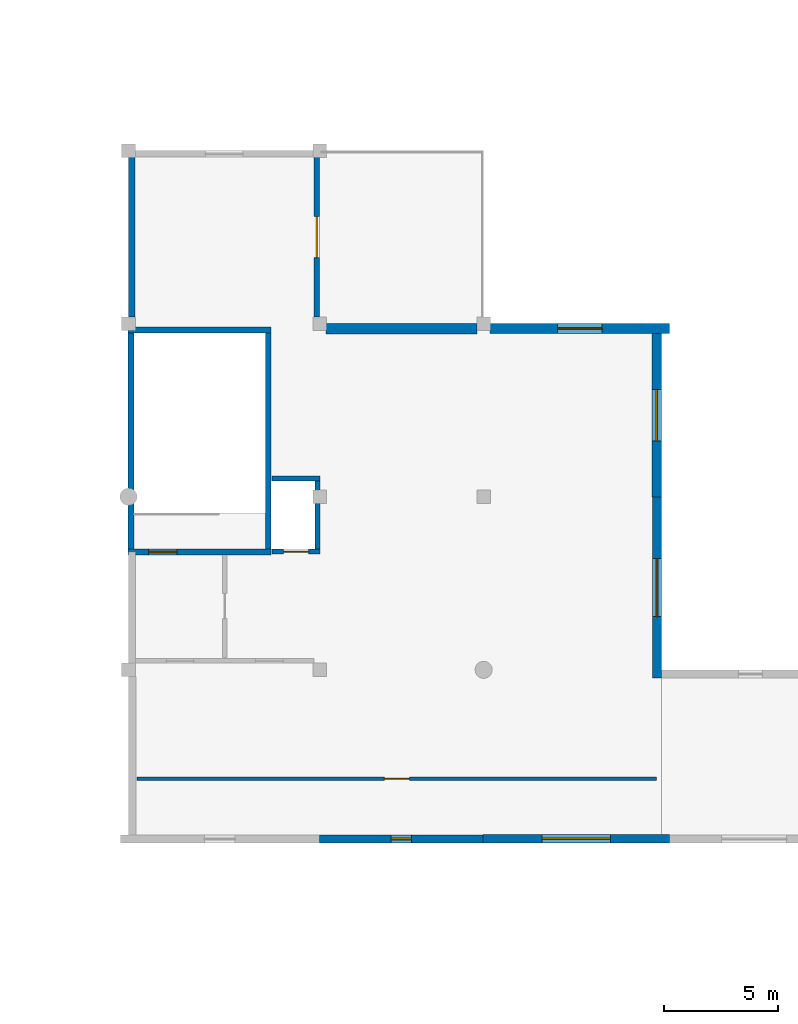
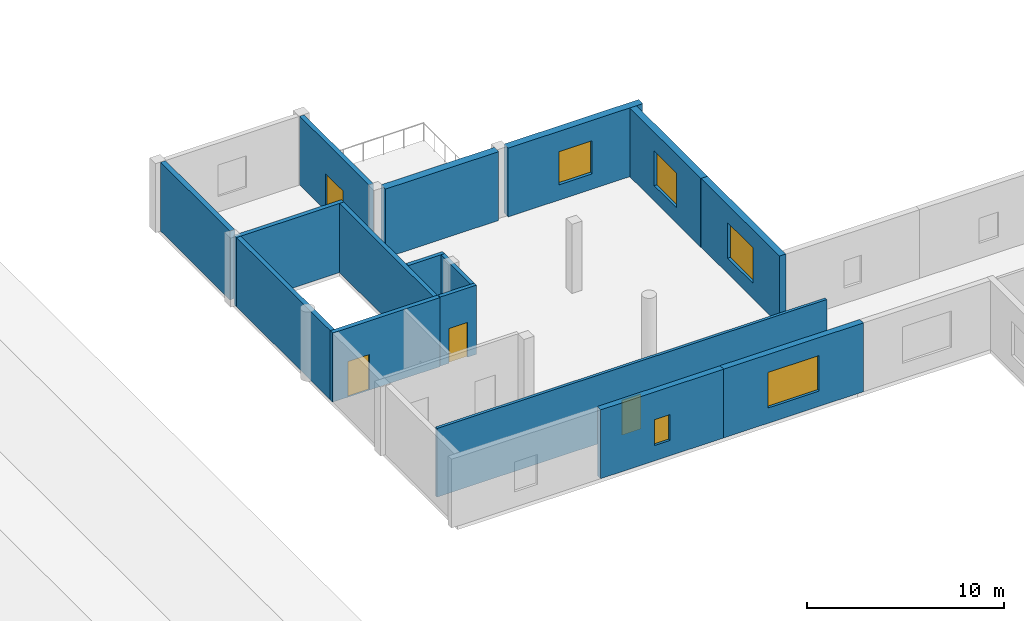
# One storey, part 21 of 28: 16 walls, 5 windows, 4 doors, 9 openings.
"""IFC4 building model written with IfcOpenShell, lengths in metres."""

from ifc_helpers import new_model, si_unit, direction, frame, frame_2d, origin, place, context, subcontext, project, spatial, rectangle, extrude, material, layer, layer_set, type_object, element, fill, save


model = new_model("IFC4")

# Units and contexts
model_context = context("Model", 3, precision=1e-05, world=origin(), true_north=direction((0.0, 1.0)))
body_context = subcontext(model_context, "Body", "Model", "MODEL_VIEW")
ifc_project = project(units=[si_unit("LENGTHUNIT", "METRE"), si_unit("AREAUNIT", "SQUARE_METRE"), si_unit("VOLUMEUNIT", "CUBIC_METRE"), si_unit("PLANEANGLEUNIT", "RADIAN"), si_unit("MASSUNIT", "GRAM", prefix="KILO")], contexts=[model_context])

# Site, building, storey
site_placement = place(None, origin())
site = spatial("IfcSite", under=ifc_project, at=site_placement, CompositionType="ELEMENT")
building_placement = place(site_placement, origin())
building = spatial("IfcBuilding", under=site, at=building_placement, Name="Xicomal Pleat Aquarium", CompositionType="ELEMENT")
storey_placement = place(building_placement, frame((0.0, 0.0, 15.300048828125)))
storey = spatial("IfcBuildingStorey", under=building, at=storey_placement, Name="L04", CompositionType="ELEMENT", Elevation=15.300048828125)

# Wall, opening, door
ifc_material_1 = material(Name="Concrete C40/50", Category="concrete")
ifc_layer_1 = layer(ifc_material_1, 0.219970703125)
ifc_layer_set_1 = layer_set([ifc_layer_1], Name="Concrete C40/50")
wall_type_1 = type_object("IfcWallType", Name="WAL-COR-220", PredefinedType="SHEAR", material=ifc_layer_set_1)
wall_1_placement = place(storey_placement, frame((108.89990234375, 50.7900390625, 0.0), z_axis=(0.0, 0.0, 1.0), x_axis=(1.0, 0.0, 0.0)))
wall_1 = element("IfcWall", 1, at=wall_1_placement, inside=storey, type_object=wall_type_1, Name="L04 LF-07 lift shaft wall CW-L04-C7-LS", PredefinedType="SHEAR", context=body_context, shape_type="SweptSolid", body=[
    extrude(rectangle(XDim=2.1201171875, YDim=0.219970703125, at=frame_2d((1.06005859375, 0.0))), origin(), (0.0, 0.0, 1.0), 4.280029296875),
])
opening_1_placement = place(wall_1_placement, frame((0.510009765625, 0.0, 0.0)))
opening_1 = element("IfcOpeningElement", 2, at=opening_1_placement, cuts=wall_1, Name="Opening LD-07-L04", PredefinedType="OPENING", context=body_context, shape_type="SweptSolid", body=[
    extrude(rectangle(XDim=1.10009765625, YDim=2.14990234375, at=frame_2d((0.550048828125, 1.074951171875))), frame((0.0, 0.119873046875, 0.0), z_axis=(0.0, -1.0, 0.0), x_axis=(1.0, 0.0, 0.0)), (0.0, 0.0, 1.0), 0.239990234375),
])
ifc_material_2 = material(Name="Brushed stainless steel 304", Category="steel")
door_type_1 = type_object("IfcDoorType", Name="DOR-LD-1100x2150", OperationType="DOUBLE_DOOR_SLIDING", PredefinedType="DOOR", material=ifc_material_2)
door_1_placement = place(opening_1_placement, origin())
door_1 = element("IfcDoor", 3, at=door_1_placement, inside=storey, type_object=door_type_1, Name="L04 LF-07 sliding lift landing door", OperationType="DOUBLE_DOOR_SLIDING", OverallHeight=2.14990234375, OverallWidth=1.10009765625, PredefinedType="DOOR", context=body_context, shape_type="SweptSolid", body=[
    extrude(rectangle(XDim=1.10009765625, YDim=2.14990234375, at=frame_2d((0.550048828125, 1.074951171875))), frame((0.0, 0.02490234375, 0.0), z_axis=(0.0, -1.0, 0.0), x_axis=(1.0, 0.0, 0.0)), (0.0, 0.0, 1.0), 0.050048828125),
])
fill(opening_1, door_1)

# Walls
wall_2_placement = place(storey_placement, frame((108.89990234375, 54.010009765625, 0.0), z_axis=(0.0, 0.0, 1.0), x_axis=(1.0, 0.0, 0.0)))
element("IfcWall", 4, at=wall_2_placement, inside=storey, type_object=wall_type_1, Name="L04 LF-07 lift shaft wall CW-L04-C7-LN", PredefinedType="SHEAR", context=body_context, shape_type="SweptSolid", body=[
    extrude(rectangle(XDim=2.1201171875, YDim=0.219970703125, at=frame_2d((1.06005859375, 0.0))), origin(), (0.0, 0.0, 1.0), 4.280029296875),
])
wall_3_placement = place(storey_placement, frame((110.909912109375, 50.89990234375, 0.0), z_axis=(0.0, 0.0, 1.0), x_axis=(0.0, 1.0, 0.0)))
element("IfcWall", 5, at=wall_3_placement, inside=storey, type_object=wall_type_1, Name="L04 LF-07 lift shaft wall CW-L04-C7-LE", PredefinedType="SHEAR", context=body_context, shape_type="SweptSolid", body=[
    extrude(rectangle(XDim=3.0, YDim=0.219970703125, at=frame_2d((1.5, 0.0))), origin(), (0.0, 0.0, 1.0), 4.280029296875),
])

# Wall, opening, door
ifc_material_3 = material(Name="Concrete C40/50", Category="concrete")
ifc_layer_2 = layer(ifc_material_3, 0.25)
ifc_layer_set_2 = layer_set([ifc_layer_2], Name="Concrete C40/50")
wall_type_2 = type_object("IfcWallType", Name="WAL-COR-250", PredefinedType="SHEAR", material=ifc_layer_set_2)
wall_4_placement = place(storey_placement, frame((102.590087890625, 50.77490234375, 0.0), z_axis=(0.0, 0.0, 1.0), x_axis=(1.0, 0.0, 0.0)))
wall_4 = element("IfcWall", 6, at=wall_4_placement, inside=storey, type_object=wall_type_2, Name="L04 CORE-7 stair shear wall CW-L04-C7-SS", PredefinedType="SHEAR", context=body_context, shape_type="SweptSolid", body=[
    extrude(rectangle(XDim=6.280029296875, YDim=0.25, at=frame_2d((3.14013671875, 0.0))), origin(), (0.0, 0.0, 1.0), 4.280029296875),
])
opening_2_placement = place(wall_4_placement, frame((0.89990234375, 0.0, 0.0)))
opening_2 = element("IfcOpeningElement", 7, at=opening_2_placement, cuts=wall_4, Name="Opening SD-07-L04", PredefinedType="OPENING", context=body_context, shape_type="SweptSolid", body=[
    extrude(rectangle(XDim=1.25, YDim=2.199951171875, at=frame_2d((0.625, 1.10009765625))), frame((0.0, 0.135009765625, 0.0), z_axis=(0.0, -1.0, 0.0), x_axis=(1.0, 0.0, 0.0)), (0.0, 0.0, 1.0), 0.27001953125),
])
ifc_material_4 = material(Name="Powder-coated steel fire door", Category="steel")
door_type_2 = type_object("IfcDoorType", Name="DOR-ST-1250x2200", OperationType="NOTDEFINED", PredefinedType="DOOR", material=ifc_material_4)
door_2_placement = place(opening_2_placement, origin())
door_2 = element("IfcDoor", 8, at=door_2_placement, inside=storey, type_object=door_type_2, Name="L04 ST-07 protected stair door", OperationType="SINGLE_SWING_LEFT", OverallHeight=2.199951171875, OverallWidth=1.25, PredefinedType="DOOR", context=body_context, shape_type="SweptSolid", body=[
    extrude(rectangle(XDim=1.25, YDim=2.199951171875, at=frame_2d((0.625, 1.10009765625))), frame((0.0, 0.02490234375, 0.0), z_axis=(0.0, -1.0, 0.0), x_axis=(1.0, 0.0, 0.0)), (0.0, 0.0, 1.0), 0.050048828125),
])
fill(opening_2, door_2)

# Walls
wall_5_placement = place(storey_placement, frame((102.590087890625, 60.52490234375, 0.0), z_axis=(0.0, 0.0, 1.0), x_axis=(1.0, 0.0, 0.0)))
element("IfcWall", 9, at=wall_5_placement, inside=storey, type_object=wall_type_2, Name="L04 CORE-7 stair shear wall CW-L04-C7-SN", PredefinedType="SHEAR", context=body_context, shape_type="SweptSolid", body=[
    extrude(rectangle(XDim=6.280029296875, YDim=0.25, at=frame_2d((3.14013671875, 0.0))), origin(), (0.0, 0.0, 1.0), 4.280029296875),
])
for number, where, z_axis, x_axis, name in (
    (10, (102.715087890625, 50.89990234375, 0.0), (0.0, 0.0, 1.0), (0.0, 1.0, 0.0), "L04 CORE-7 stair shear wall CW-L04-C7-SW"),
    (11, (108.7451171875, 50.89990234375, 0.0), (0.0, 0.0, 1.0), (0.0, 1.0, 0.0), "L04 CORE-7 stair shear wall CW-L04-C7-SE"),
):
    element("IfcWall", number, at=place(storey_placement, frame(where, z_axis=z_axis, x_axis=x_axis)), inside=storey, type_object=wall_type_2, Name=name, PredefinedType="SHEAR", context=body_context, shape_type="SweptSolid", body=[
        extrude(rectangle(XDim=9.5, YDim=0.25, at=frame_2d((4.75, 0.0))), origin(), (0.0, 0.0, 1.0), 4.280029296875),
    ])

# Wall, opening, window
ifc_material_5 = material(Name="Volcanic basalt recinto masonry and concrete C40/50", Category="masonry")
ifc_layer_3 = layer(ifc_material_5, 0.35009765625)
ifc_layer_set_3 = layer_set([ifc_layer_3], Name="Volcanic basalt recinto masonry and concrete C40/50")
wall_type_3 = type_object("IfcWallType", Name="WAL-EXT-BAS-350", PredefinedType="SOLIDWALL", material=ifc_layer_set_3)
wall_6_placement = place(storey_placement, frame((118.179931640625, 38.175048828125, 0.0), z_axis=(0.0, 0.0, 1.0), x_axis=(-1.0, 0.0, 0.0)))
wall_6 = element("IfcWall", 12, at=wall_6_placement, inside=storey, type_object=wall_type_3, Name="L04 exterior basalt-precast wall EW-L04-014", PredefinedType="SOLIDWALL", context=body_context, shape_type="SweptSolid", body=[
    extrude(rectangle(XDim=7.199951171875, YDim=0.35009765625, at=frame_2d((3.60009765625, 0.0))), origin(), (0.0, 0.0, 1.0), 4.260009765625),
])
opening_3_placement = place(wall_6_placement, frame((3.14990234375, 0.0, 0.949951171875)))
opening_3 = element("IfcOpeningElement", 13, at=opening_3_placement, cuts=wall_6, Name="Opening WN-06", PredefinedType="OPENING", context=body_context, shape_type="SweptSolid", body=[
    extrude(rectangle(XDim=0.89990234375, YDim=1.60009765625, at=frame_2d((0.449951171875, 0.800048828125))), frame((0.0, 0.18505859375, 0.0), z_axis=(0.0, -1.0, 0.0), x_axis=(1.0, 0.0, 0.0)), (0.0, 0.0, 1.0), 0.3701171875),
])
ifc_material_6 = material(Name="Insulated low-E laminated glass", Category="glass")
window_type_1 = type_object("IfcWindowType", Name="WIN-EXT-0900x1600", PartitioningType="SINGLE_PANEL", PredefinedType="WINDOW", material=ifc_material_6)
window_1_placement = place(opening_3_placement, origin())
window_1 = element("IfcWindow", 14, at=window_1_placement, inside=storey, type_object=window_type_1, Name="L04 thermally broken low-E window 56", OverallHeight=1.60009765625, OverallWidth=0.89990234375, PartitioningType="SINGLE_PANEL", PredefinedType="WINDOW", context=body_context, shape_type="SweptSolid", body=[
    extrude(rectangle(XDim=0.89990234375, YDim=1.60009765625, at=frame_2d((0.449951171875, 0.800048828125))), frame((0.0, 0.030029296875, 0.0), z_axis=(0.0, -1.0, 0.0), x_axis=(1.0, 0.0, 0.0)), (0.0, 0.0, 1.0), 0.06005859375),
])
fill(opening_3, window_1)

ifc_material_7 = material(Name="Volcanic basalt recinto masonry and concrete C40/50", Category="masonry")
ifc_layer_4 = layer(ifc_material_7, 0.364990234375)
ifc_layer_set_4 = layer_set([ifc_layer_4], Name="Volcanic basalt recinto masonry and concrete C40/50")
wall_type_4 = type_object("IfcWallType", Name="WAL-EXT-BAS-365", PredefinedType="SOLIDWALL", material=ifc_layer_set_4)
wall_7_placement = place(storey_placement, frame((126.360107421875, 38.181884765625, 0.0), z_axis=(0.0, 0.0, 1.0), x_axis=(-1.0, 0.0, 0.0)))
wall_7 = element("IfcWall", 15, at=wall_7_placement, inside=storey, type_object=wall_type_4, Name="L04 exterior basalt-precast wall EW-L04-013", PredefinedType="SOLIDWALL", context=body_context, shape_type="SweptSolid", body=[
    extrude(rectangle(XDim=8.18017578125, YDim=0.364990234375, at=frame_2d((4.090087890625, 0.0))), origin(), (0.0, 0.0, 1.0), 4.260009765625),
])
opening_4_placement = place(wall_7_placement, frame((2.590087890625, 0.0, 0.949951171875)))
opening_4 = element("IfcOpeningElement", 16, at=opening_4_placement, cuts=wall_7, Name="Opening WN-08", PredefinedType="OPENING", context=body_context, shape_type="SweptSolid", body=[
    extrude(rectangle(XDim=3.0, YDim=2.199951171875, at=frame_2d((1.5, 1.10009765625))), frame((0.0, 0.1923828125, 0.0), z_axis=(0.0, -1.0, 0.0), x_axis=(1.0, 0.0, 0.0)), (0.0, 0.0, 1.0), 0.385009765625),
])
ifc_material_8 = material(Name="Insulated low-E laminated glass", Category="glass")
window_type_2 = type_object("IfcWindowType", Name="WIN-EXT-3000x2200", PartitioningType="DOUBLE_PANEL_VERTICAL", PredefinedType="WINDOW", material=ifc_material_8)
window_2_placement = place(opening_4_placement, origin())
window_2 = element("IfcWindow", 17, at=window_2_placement, inside=storey, type_object=window_type_2, Name="L04 thermally broken low-E window 55", OverallHeight=2.199951171875, OverallWidth=3.0, PartitioningType="SINGLE_PANEL", PredefinedType="WINDOW", context=body_context, shape_type="SweptSolid", body=[
    extrude(rectangle(XDim=3.0, YDim=2.199951171875, at=frame_2d((1.5, 1.10009765625))), frame((0.0, 0.030029296875, 0.0), z_axis=(0.0, -1.0, 0.0), x_axis=(1.0, 0.0, 0.0)), (0.0, 0.0, 1.0), 0.06005859375),
])
fill(opening_4, window_2)

ifc_material_9 = material(Name="Volcanic basalt recinto masonry and concrete C40/50", Category="masonry")
ifc_layer_5 = layer(ifc_material_9, 0.3798828125)
ifc_layer_set_5 = layer_set([ifc_layer_5], Name="Volcanic basalt recinto masonry and concrete C40/50")
wall_type_5 = type_object("IfcWallType", Name="WAL-EXT-BAS-380", PredefinedType="SOLIDWALL", material=ifc_layer_set_5)
wall_8_placement = place(storey_placement, frame((125.81005859375, 53.179931640625, 0.0), z_axis=(0.0, 0.0, 1.0), x_axis=(0.0, -1.0, 0.0)))
wall_8 = element("IfcWall", 18, at=wall_8_placement, inside=storey, type_object=wall_type_5, Name="L04 exterior basalt-precast wall EW-L04-025", PredefinedType="SOLIDWALL", context=body_context, shape_type="SweptSolid", body=[
    extrude(rectangle(XDim=7.93994140625, YDim=0.3798828125, at=frame_2d((3.969970703125, 0.0))), origin(), (0.0, 0.0, 1.0), 4.260009765625),
])
opening_5_placement = place(wall_8_placement, frame((2.695068359375, 0.0, 0.949951171875)))
opening_5 = element("IfcOpeningElement", 19, at=opening_5_placement, cuts=wall_8, Name="Opening WN-13", PredefinedType="OPENING", context=body_context, shape_type="SweptSolid", body=[
    extrude(rectangle(XDim=2.550048828125, YDim=2.199951171875, at=frame_2d((1.27490234375, 1.10009765625))), frame((0.0, 0.199951171875, 0.0), z_axis=(0.0, -1.0, 0.0), x_axis=(1.0, 0.0, 0.0)), (0.0, 0.0, 1.0), 0.39990234375),
])
ifc_material_10 = material(Name="Insulated low-E laminated glass", Category="glass")
window_type_3 = type_object("IfcWindowType", Name="WIN-EXT-2550x2200", PartitioningType="DOUBLE_PANEL_VERTICAL", PredefinedType="WINDOW", material=ifc_material_10)
window_3_placement = place(opening_5_placement, origin())
window_3 = element("IfcWindow", 20, at=window_3_placement, inside=storey, type_object=window_type_3, Name="L04 thermally broken low-E window 61", OverallHeight=2.199951171875, OverallWidth=2.550048828125, PartitioningType="SINGLE_PANEL", PredefinedType="WINDOW", context=body_context, shape_type="SweptSolid", body=[
    extrude(rectangle(XDim=2.550048828125, YDim=2.199951171875, at=frame_2d((1.27490234375, 1.10009765625))), frame((0.0, 0.030029296875, 0.0), z_axis=(0.0, -1.0, 0.0), x_axis=(1.0, 0.0, 0.0)), (0.0, 0.0, 1.0), 0.06005859375),
])
fill(opening_5, window_3)

ifc_material_11 = material(Name="Volcanic basalt recinto masonry and concrete C40/50", Category="masonry")
ifc_layer_6 = layer(ifc_material_11, 0.39990234375)
ifc_layer_set_6 = layer_set([ifc_layer_6], Name="Volcanic basalt recinto masonry and concrete C40/50")
wall_type_6 = type_object("IfcWallType", Name="WAL-EXT-BAS-400", PredefinedType="SOLIDWALL", material=ifc_layer_set_6)
wall_9_placement = place(storey_placement, frame((125.800048828125, 60.375, 0.0), z_axis=(0.0, 0.0, 1.0), x_axis=(0.0, -1.0, 0.0)))
wall_9 = element("IfcWall", 21, at=wall_9_placement, inside=storey, type_object=wall_type_6, Name="L04 exterior basalt-precast wall EW-L04-024B", PredefinedType="SOLIDWALL", context=body_context, shape_type="SweptSolid", body=[
    extrude(rectangle(XDim=7.195068359375, YDim=0.39990234375, at=frame_2d((3.59765625, 0.0))), origin(), (0.0, 0.0, 1.0), 4.260009765625),
])
opening_6_placement = place(wall_9_placement, frame((2.472900390625, 0.0, 0.949951171875)))
opening_6 = element("IfcOpeningElement", 22, at=opening_6_placement, cuts=wall_9, Name="Opening WN-12", PredefinedType="OPENING", context=body_context, shape_type="SweptSolid", body=[
    extrude(rectangle(XDim=2.25, YDim=2.14990234375, at=frame_2d((1.125, 1.074951171875))), frame((0.0, 0.2099609375, 0.0), z_axis=(0.0, -1.0, 0.0), x_axis=(1.0, 0.0, 0.0)), (0.0, 0.0, 1.0), 0.419921875),
])
ifc_material_12 = material(Name="Insulated low-E laminated glass", Category="glass")
window_type_4 = type_object("IfcWindowType", Name="WIN-EXT-2250x2150", PartitioningType="DOUBLE_PANEL_VERTICAL", PredefinedType="WINDOW", material=ifc_material_12)
window_4_placement = place(opening_6_placement, origin())
window_4 = element("IfcWindow", 23, at=window_4_placement, inside=storey, type_object=window_type_4, Name="L04 thermally broken low-E window 60", OverallHeight=2.14990234375, OverallWidth=2.25, PartitioningType="SINGLE_PANEL", PredefinedType="WINDOW", context=body_context, shape_type="SweptSolid", body=[
    extrude(rectangle(XDim=2.25, YDim=2.14990234375, at=frame_2d((1.125, 1.074951171875))), frame((0.0, 0.030029296875, 0.0), z_axis=(0.0, -1.0, 0.0), x_axis=(1.0, 0.0, 0.0)), (0.0, 0.0, 1.0), 0.06005859375),
])
fill(opening_6, window_4)

ifc_material_13 = material(Name="Volcanic basalt recinto masonry and concrete C40/50", Category="masonry")
ifc_layer_7 = layer(ifc_material_13, 0.419921875)
ifc_layer_set_7 = layer_set([ifc_layer_7], Name="Volcanic basalt recinto masonry and concrete C40/50")
wall_type_7 = type_object("IfcWallType", Name="WAL-EXT-BAS-420", PredefinedType="SOLIDWALL", material=ifc_layer_set_7)
wall_10_placement = place(storey_placement, frame((118.485107421875, 60.590087890625, 0.0), z_axis=(0.0, 0.0, 1.0), x_axis=(1.0, 0.0, 0.0)))
wall_10 = element("IfcWall", 24, at=wall_10_placement, inside=storey, type_object=wall_type_7, Name="L04 exterior basalt-precast wall EW-L04-023", PredefinedType="SOLIDWALL", context=body_context, shape_type="SweptSolid", body=[
    extrude(rectangle(XDim=7.875, YDim=0.419921875, at=frame_2d((3.9375, 0.0))), origin(), (0.0, 0.0, 1.0), 4.260009765625),
])
opening_7_placement = place(wall_10_placement, frame((2.9619140625, 0.0, 0.949951171875)))
opening_7 = element("IfcOpeningElement", 25, at=opening_7_placement, cuts=wall_10, Name="Opening WN-11", PredefinedType="OPENING", context=body_context, shape_type="SweptSolid", body=[
    extrude(rectangle(XDim=1.949951171875, YDim=2.050048828125, at=frame_2d((0.97509765625, 1.02490234375))), frame((0.0, 0.219970703125, 0.0), z_axis=(0.0, -1.0, 0.0), x_axis=(1.0, 0.0, 0.0)), (0.0, 0.0, 1.0), 0.43994140625),
])
ifc_material_14 = material(Name="Insulated low-E laminated glass", Category="glass")
window_type_5 = type_object("IfcWindowType", Name="WIN-EXT-1950x2050", PartitioningType="DOUBLE_PANEL_VERTICAL", PredefinedType="WINDOW", material=ifc_material_14)
window_5_placement = place(opening_7_placement, origin())
window_5 = element("IfcWindow", 26, at=window_5_placement, inside=storey, type_object=window_type_5, Name="L04 thermally broken low-E window 59", OverallHeight=2.050048828125, OverallWidth=1.949951171875, PartitioningType="SINGLE_PANEL", PredefinedType="WINDOW", context=body_context, shape_type="SweptSolid", body=[
    extrude(rectangle(XDim=1.949951171875, YDim=2.050048828125, at=frame_2d((0.97509765625, 1.02490234375))), frame((0.0, 0.030029296875, 0.0), z_axis=(0.0, -1.0, 0.0), x_axis=(1.0, 0.0, 0.0)), (0.0, 0.0, 1.0), 0.06005859375),
])
fill(opening_7, window_5)

# Wall
ifc_material_15 = material(Name="Volcanic basalt recinto masonry and concrete C40/50", Category="masonry")
ifc_layer_8 = layer(ifc_material_15, 0.445068359375)
ifc_layer_set_8 = layer_set([ifc_layer_8], Name="Volcanic basalt recinto masonry and concrete C40/50")
wall_type_8 = type_object("IfcWallType", Name="WAL-EXT-BAS-445", PredefinedType="SOLIDWALL", material=ifc_layer_set_8)
wall_11_placement = place(storey_placement, frame((111.284912109375, 60.577880859375, 0.0), z_axis=(0.0, 0.0, 1.0), x_axis=(1.0, 0.0, 0.0)))
element("IfcWall", 27, at=wall_11_placement, inside=storey, type_object=wall_type_8, Name="L04 exterior basalt-precast wall EW-L04-022", PredefinedType="SOLIDWALL", context=body_context, shape_type="SweptSolid", body=[
    extrude(rectangle(XDim=6.630126953125, YDim=0.445068359375, at=frame_2d((3.31494140625, 0.0))), origin(), (0.0, 0.0, 1.0), 4.260009765625),
])

# Wall, opening, door
ifc_material_16 = material(Name="Precast concrete C40/50", Category="concrete")
ifc_layer_9 = layer(ifc_material_16, 0.260009765625)
ifc_layer_set_9 = layer_set([ifc_layer_9], Name="Precast concrete C40/50")
wall_type_9 = type_object("IfcWallType", Name="WAL-EXT-PRC-260", PredefinedType="SOLIDWALL", material=ifc_layer_set_9)
wall_12_placement = place(storey_placement, frame((110.8701171875, 68.114990234375, 0.0), z_axis=(0.0, 0.0, 1.0), x_axis=(0.0, -1.0, 0.0)))
wall_12 = element("IfcWall", 28, at=wall_12_placement, inside=storey, type_object=wall_type_9, Name="L04 exterior basalt-precast wall EW-L04-021", PredefinedType="SOLIDWALL", context=body_context, shape_type="SweptSolid", body=[
    extrude(rectangle(XDim=7.030029296875, YDim=0.260009765625, at=frame_2d((3.51513671875, 0.0))), origin(), (0.0, 0.0, 1.0), 4.260009765625),
])
opening_8_placement = place(wall_12_placement, frame((2.614990234375, 0.0, 0.0)))
opening_8 = element("IfcOpeningElement", 29, at=opening_8_placement, cuts=wall_12, Name="Opening TD-L04-03", PredefinedType="OPENING", context=body_context, shape_type="SweptSolid", body=[
    extrude(rectangle(XDim=1.800048828125, YDim=2.300048828125, at=frame_2d((0.89990234375, 1.14990234375))), frame((0.0, 0.139892578125, 0.0), z_axis=(0.0, -1.0, 0.0), x_axis=(1.0, 0.0, 0.0)), (0.0, 0.0, 1.0), 0.280029296875),
])
ifc_material_17 = material(Name="Bronze anodized aluminium and laminated safety glass", Category="aluminium")
door_type_3 = type_object("IfcDoorType", Name="DOR-TER-1800x2300", OperationType="DOUBLE_DOOR_SINGLE_SWING", PredefinedType="DOOR", material=ifc_material_17)
door_3_placement = place(opening_8_placement, origin())
door_3 = element("IfcDoor", 30, at=door_3_placement, inside=storey, type_object=door_type_3, Name="L04 outdoor court terrace door 3", OperationType="DOUBLE_DOOR_SINGLE_SWING", OverallHeight=2.300048828125, OverallWidth=1.800048828125, PredefinedType="DOOR", context=body_context, shape_type="SweptSolid", body=[
    extrude(rectangle(XDim=1.800048828125, YDim=2.300048828125, at=frame_2d((0.89990234375, 1.14990234375))), frame((0.0, 0.02490234375, 0.0), z_axis=(0.0, -1.0, 0.0), x_axis=(1.0, 0.0, 0.0)), (0.0, 0.0, 1.0), 0.050048828125),
])
fill(opening_8, door_3)

# Wall
ifc_material_18 = material(Name="Precast concrete C40/50", Category="concrete")
ifc_layer_10 = layer(ifc_material_18, 0.2900390625)
ifc_layer_set_10 = layer_set([ifc_layer_10], Name="Precast concrete C40/50")
wall_type_10 = type_object("IfcWallType", Name="WAL-EXT-PRC-290", PredefinedType="SOLIDWALL", material=ifc_layer_set_10)
wall_13_placement = place(storey_placement, frame((102.7451171875, 61.0849609375, 0.0), z_axis=(0.0, 0.0, 1.0), x_axis=(0.0, 1.0, 0.0)))
element("IfcWall", 31, at=wall_13_placement, inside=storey, type_object=wall_type_10, Name="L04 exterior basalt-precast wall EW-L04-019", PredefinedType="SOLIDWALL", context=body_context, shape_type="SweptSolid", body=[
    extrude(rectangle(XDim=7.030029296875, YDim=0.2900390625, at=frame_2d((3.51513671875, 0.0))), origin(), (0.0, 0.0, 1.0), 4.260009765625),
])

# Wall, opening, door
ifc_material_19 = material(Name="Water-resistant cement-board wet-lab partition", Category="gypsum")
ifc_layer_11 = layer(ifc_material_19, 0.1650390625)
ifc_layer_set_11 = layer_set([ifc_layer_11], Name="Water-resistant cement-board wet-lab partition")
wall_type_11 = type_object("IfcWallType", Name="WAL-PRT-165", PredefinedType="PARTITIONING", material=ifc_layer_set_11)
wall_14_placement = place(storey_placement, frame((125.800048828125, 40.820068359375, 0.0), z_axis=(0.0, 0.0, 1.0), x_axis=(-1.0, 0.0, 0.0)))
wall_14 = element("IfcWall", 32, at=wall_14_placement, inside=storey, type_object=wall_type_11, Name="L04 interior partition PT-L04-073", PredefinedType="PARTITIONING", context=body_context, shape_type="SweptSolid", body=[
    extrude(rectangle(XDim=22.816162109375, YDim=0.1650390625, at=frame_2d((11.408203125, 0.0))), origin(), (0.0, 0.0, 1.0), 4.25),
])
opening_9_placement = place(wall_14_placement, frame((10.85791015625, 0.0, 0.0)))
opening_9 = element("IfcOpeningElement", 33, at=opening_9_placement, cuts=wall_14, Name="Opening DR-L04-039", PredefinedType="OPENING", context=body_context, shape_type="SweptSolid", body=[
    extrude(rectangle(XDim=1.10009765625, YDim=2.14990234375, at=frame_2d((0.550048828125, 1.074951171875))), frame((0.0, 0.092529296875, 0.0), z_axis=(0.0, -1.0, 0.0), x_axis=(1.0, 0.0, 0.0)), (0.0, 0.0, 1.0), 0.18505859375),
])
ifc_material_20 = material(Name="Powder-coated steel fire door", Category="steel")
door_type_4 = type_object("IfcDoorType", Name="DOR-LAB-1100x2150", OperationType="NOTDEFINED", PredefinedType="DOOR", material=ifc_material_20)
door_4_placement = place(opening_9_placement, origin())
door_4 = element("IfcDoor", 34, at=door_4_placement, inside=storey, type_object=door_type_4, Name="L04 Pelagic Bioluminescence Exhibit Gallery door DR-L04-039", OperationType="SINGLE_SWING_LEFT", OverallHeight=2.14990234375, OverallWidth=1.10009765625, PredefinedType="DOOR", context=body_context, shape_type="SweptSolid", body=[
    extrude(rectangle(XDim=1.10009765625, YDim=2.14990234375, at=frame_2d((0.550048828125, 1.074951171875))), frame((0.0, 0.02490234375, 0.0), z_axis=(0.0, -1.0, 0.0), x_axis=(1.0, 0.0, 0.0)), (0.0, 0.0, 1.0), 0.050048828125),
])
fill(opening_9, door_4)

save(model, "model.ifc")
